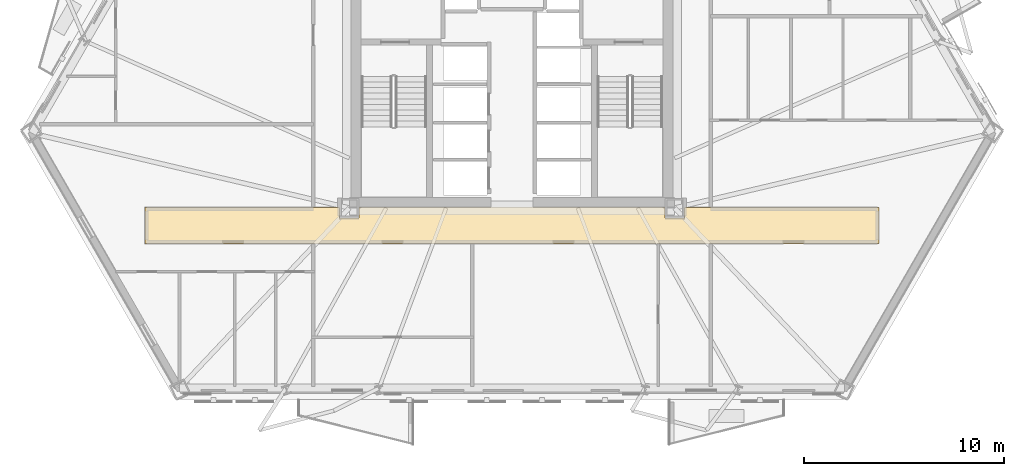
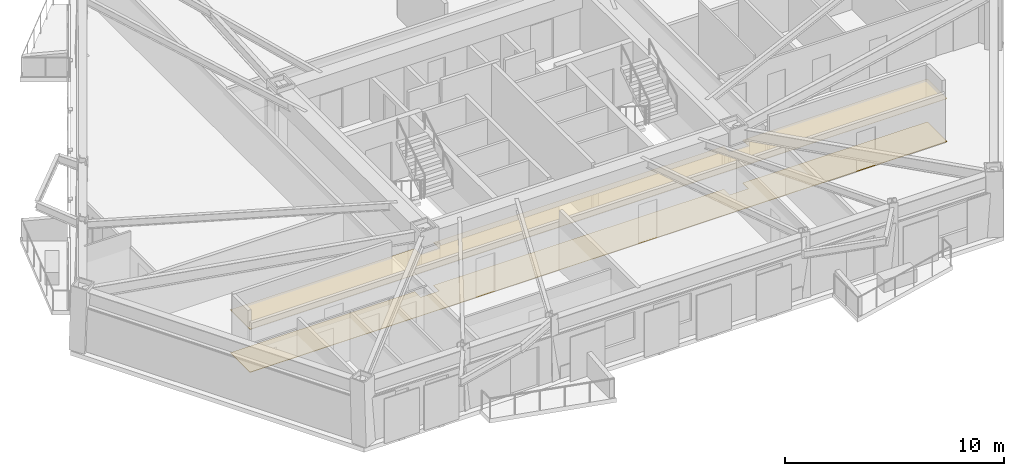
# One storey, part 9 of 12: 2 coverings.
"""IFC4 building model written with IfcOpenShell, lengths in metres."""

from ifc_helpers import new_model, si_unit, direction, frame, origin, place, context, subcontext, project, spatial, polyline, outline, extrude, material, layer, layer_set, type_object, element, save


model = new_model("IFC4")

# Units and contexts
model_context = context("Model", 3, precision=1e-05, world=origin(), true_north=direction((0.0, 1.0)))
body_context = subcontext(model_context, "Body", "Model", "MODEL_VIEW")
ifc_project = project(units=[si_unit("LENGTHUNIT", "METRE"), si_unit("AREAUNIT", "SQUARE_METRE"), si_unit("VOLUMEUNIT", "CUBIC_METRE"), si_unit("PLANEANGLEUNIT", "RADIAN"), si_unit("MASSUNIT", "GRAM", prefix="KILO")], contexts=[model_context])

# Site, building, storey
site_placement = place(None, origin())
site = spatial("IfcSite", under=ifc_project, at=site_placement, CompositionType="ELEMENT")
building_placement = place(site_placement, origin())
building = spatial("IfcBuilding", under=site, at=building_placement, Name="Oramaril Tower", CompositionType="ELEMENT")
storey_placement = place(building_placement, frame((0.0, 0.0, 45.300048828125)))
storey = spatial("IfcBuildingStorey", under=building, at=storey_placement, Name="L11", CompositionType="ELEMENT", Elevation=45.300048828125)

# Coverings
ifc_material_1 = material(Name="Mineral Fibre Acoustic Ceiling")
ifc_layer_1 = layer(ifc_material_1, 0.02001953125)
ifc_layer_set_1 = layer_set([ifc_layer_1], Name="CVT-CEIL")
covering_type_1 = type_object("IfcCoveringType", Name="CVT-CEIL", PredefinedType="CEILING", material=ifc_layer_set_1)
covering_1_placement = place(storey_placement, frame((0.0, 0.0, 2.39990234375)))
element("IfcCovering", 1, at=covering_1_placement, inside=storey, type_object=covering_type_1, Name="L11 Acoustic Suspended Ceiling 1", PredefinedType="CEILING", context=body_context, shape_type="SweptSolid", body=[
    extrude(outline(polyline([(28.85498046875, 10.5048828125), (29.844970703125, 10.5048828125), (29.844970703125, 11.030029296875), (45.155029296875, 11.030029296875), (45.155029296875, 10.5048828125), (46.14501953125, 10.5048828125), (46.14501953125, 11.030029296875), (55.8798828125, 11.030029296875), (55.8798828125, 9.219970703125), (19.1201171875, 9.219970703125), (19.1201171875, 11.030029296875), (28.85498046875, 11.030029296875), (28.85498046875, 10.5048828125)])), origin(), (0.0, 0.0, 1.0), 0.02001953125),
])
ifc_material_2 = material(Name="Honed Quartzite Stone Flooring", Category="masonry")
ifc_layer_2 = layer(ifc_material_2, 0.02490234375)
ifc_layer_set_2 = layer_set([ifc_layer_2], Name="CVT-FLR")
covering_type_2 = type_object("IfcCoveringType", Name="CVT-FLR", PredefinedType="FLOORING", material=ifc_layer_set_2)
covering_2_placement = place(storey_placement, origin())
element("IfcCovering", 2, at=covering_2_placement, inside=storey, type_object=covering_type_2, Name="L11 Honed Stone Floor Finish 1", PredefinedType="FLOORING", context=body_context, shape_type="SweptSolid", body=[
    extrude(outline(polyline([(28.85498046875, 10.5048828125), (29.844970703125, 10.5048828125), (29.844970703125, 11.030029296875), (45.155029296875, 11.030029296875), (45.155029296875, 10.5048828125), (46.14501953125, 10.5048828125), (46.14501953125, 11.030029296875), (55.8798828125, 11.030029296875), (55.8798828125, 9.219970703125), (19.1201171875, 9.219970703125), (19.1201171875, 11.030029296875), (28.85498046875, 11.030029296875), (28.85498046875, 10.5048828125)])), origin(), (0.0, 0.0, 1.0), 0.02490234375),
])

save(model, "model.ifc")
